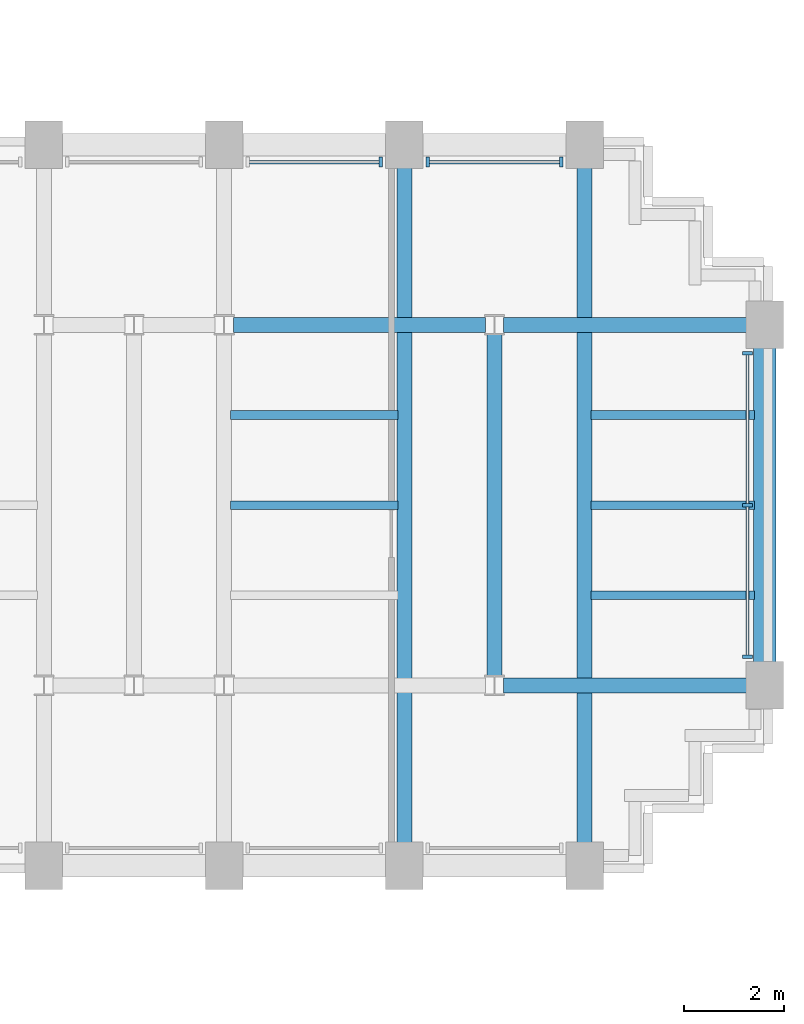
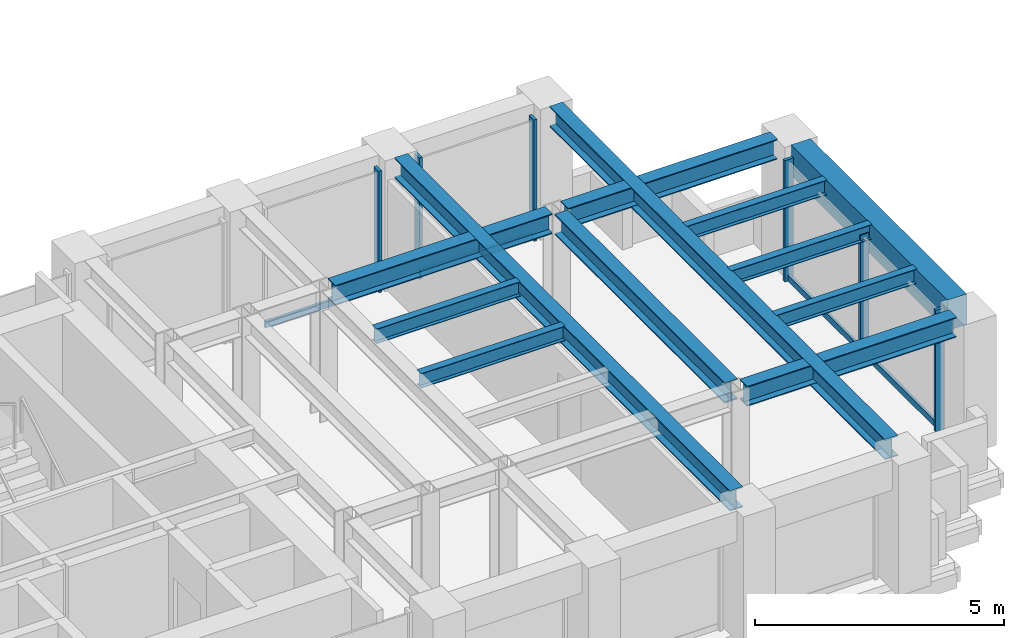
# One storey, part 6 of 16: 12 beams, 10 members, 3 elements without a shape of their own.
"""IFC4 building model written with IfcOpenShell, lengths in metres."""

from ifc_helpers import new_model, si_unit, direction, frame, origin, origin_2d, place, context, subcontext, project, spatial, rectangle, i_section, extrude, source, transform, mapped, material, material_profile, profile_set, type_object, element, aggregate, save


model = new_model("IFC4")

# Units and contexts
model_context = context("Model", 3, precision=1e-05, world=origin(), true_north=direction((0.0, 1.0)))
body_context = subcontext(model_context, "Body", "Model", "MODEL_VIEW")
ifc_project = project(units=[si_unit("LENGTHUNIT", "METRE"), si_unit("AREAUNIT", "SQUARE_METRE"), si_unit("VOLUMEUNIT", "CUBIC_METRE"), si_unit("PLANEANGLEUNIT", "RADIAN"), si_unit("MASSUNIT", "GRAM", prefix="KILO")], contexts=[model_context])

# Site, building, storey
site_placement = place(None, origin())
site = spatial("IfcSite", under=ifc_project, at=site_placement, CompositionType="ELEMENT")
building_placement = place(site_placement, origin())
building = spatial("IfcBuilding", under=site, at=building_placement, Name="Keilestroom Media Tower", CompositionType="ELEMENT")
storey_placement = place(building_placement, frame((0.0, 0.0, 81.60009765625)))
storey = spatial("IfcBuildingStorey", under=building, at=storey_placement, Name="L21", CompositionType="ELEMENT", Elevation=81.60009765625)

# Beams
ifc_material_1 = material(Name="Precast concrete C40/50", Category="concrete")
ifc_material_profile_1 = material_profile(ifc_material_1, rectangle(XDim=0.449951171875, YDim=0.75, at=origin_2d()), Name="PC 450x750")
ifc_profile_set_1 = profile_set([ifc_material_profile_1], Name="Precast concrete C40/50")
beam_type_1 = type_object("IfcBeamType", Name="Perimeter-Spandrel-Beam-PC-450x750", PredefinedType="SPANDREL", material=ifc_profile_set_1)
shared_shape_1 = source(origin(), body_context, "Body", "SweptSolid", [
    extrude(rectangle(XDim=0.449951171875, YDim=0.75, at=origin_2d()), origin(), (0.0, 0.0, 1.0), 6.2900390625),
])
beam_1_placement = place(storey_placement, frame((28.800048828125, -3.14501953125, 2.824951171875), z_axis=(0.0, 1.0, 0.0), x_axis=(-1.0, 0.0, 0.0)))
element("IfcBeam", 1, at=beam_1_placement, inside=storey, type_object=beam_type_1, Name="L21 Beam SPB-1 BM-L21-NS-086", PredefinedType="SPANDREL", context=body_context, shape_type="MappedRepresentation", body=[
    mapped(shared_shape_1, transform((0.0, 0.0, 0.0), x_axis=(1.0, 0.0, 0.0), y_axis=(0.0, 1.0, 0.0), z_axis=(0.0, 0.0, 1.0), scale=1.0)),
])
ifc_material_2 = material(Name="Steel S355", Category="steel")
ifc_material_profile_2 = material_profile(ifc_material_2, i_section(OverallWidth=0.300048828125, OverallDepth=0.5, WebThickness=0.012451171875, FlangeThickness=0.028076171875, at=origin_2d()), Name="HEB 500")
ifc_profile_set_2 = profile_set([ifc_material_profile_2], Name="Steel S355")
beam_type_2 = type_object("IfcBeamType", Name="Primary-Structural-Girder-HEB-500", PredefinedType="BEAM", material=ifc_profile_set_2)
shared_shape_2 = source(origin(), body_context, "Body", "SweptSolid", [
    extrude(i_section(OverallWidth=0.300048828125, OverallDepth=0.5, WebThickness=0.012451171875, FlangeThickness=0.028076171875, at=origin_2d()), origin(), (0.0, 0.0, 1.0), 13.490234375),
])
for number, where, z_axis, x_axis, name in (
    (2, (21.60009765625, -6.7451171875, 2.949951171875), (0.0, 1.0, 0.0), (-1.0, 0.0, 0.0), "L21 Beam BG-6 BM-L21-NS-083"),
    (3, (25.199951171875, -6.7451171875, 2.949951171875), (0.0, 1.0, 0.0), (-1.0, 0.0, 0.0), "L21 Beam BG-6 BM-L21-NS-085"),
):
    element("IfcBeam", number, at=place(storey_placement, frame(where, z_axis=z_axis, x_axis=x_axis)), inside=storey, type_object=beam_type_2, Name=name, PredefinedType="BEAM", context=body_context, shape_type="MappedRepresentation", body=[
        mapped(shared_shape_2, transform((0.0, 0.0, 0.0), x_axis=(1.0, 0.0, 0.0), y_axis=(0.0, 1.0, 0.0), z_axis=(0.0, 0.0, 1.0), scale=1.0)),
    ])
shared_shape_3 = source(origin(), body_context, "Body", "SweptSolid", [
    extrude(i_section(OverallWidth=0.300048828125, OverallDepth=0.5, WebThickness=0.012451171875, FlangeThickness=0.028076171875, at=origin_2d()), origin(), (0.0, 0.0, 1.0), 6.8330078125),
])
beam_2_placement = place(storey_placement, frame((23.39990234375, -3.41650390625, 2.949951171875), z_axis=(0.0, 1.0, 0.0), x_axis=(-1.0, 0.0, 0.0)))
element("IfcBeam", 4, at=beam_2_placement, inside=storey, type_object=beam_type_2, Name="L21 Beam BG-6 BM-L21-NS-084", PredefinedType="BEAM", context=body_context, shape_type="MappedRepresentation", body=[
    mapped(shared_shape_3, transform((0.0, 0.0, 0.0), x_axis=(1.0, 0.0, 0.0), y_axis=(0.0, 1.0, 0.0), z_axis=(0.0, 0.0, 1.0), scale=1.0)),
])
ifc_material_profile_3 = material_profile(ifc_material_2, i_section(OverallWidth=0.300048828125, OverallDepth=0.489990234375, WebThickness=0.011962890625, FlangeThickness=0.02294921875, at=origin_2d()), Name="HEA 500")
ifc_profile_set_3 = profile_set([ifc_material_profile_3], Name="Steel S355")
beam_type_3 = type_object("IfcBeamType", Name="Primary-Structural-Girder-HEA-500", PredefinedType="BEAM", material=ifc_profile_set_3)
shared_shape_4 = source(origin(), body_context, "Body", "SweptSolid", [
    extrude(i_section(OverallWidth=0.300048828125, OverallDepth=0.489990234375, WebThickness=0.011962890625, FlangeThickness=0.02294921875, at=origin_2d()), origin(), (0.0, 0.0, 1.0), 4.863037109375),
])
for number, where, z_axis, x_axis, name in (
    (5, (23.58203125, -3.60009765625, 2.954833984375), (1.0, 0.0, 0.0), (0.0, 1.0, 0.0), "L21 Beam BG-10 BM-L21-EW-025"),
    (6, (23.58203125, 3.60009765625, 2.954833984375), (1.0, 0.0, 0.0), (0.0, 1.0, 0.0), "L21 Beam BG-10 BM-L21-EW-033"),
):
    element("IfcBeam", number, at=place(storey_placement, frame(where, z_axis=z_axis, x_axis=x_axis)), inside=storey, type_object=beam_type_3, Name=name, PredefinedType="BEAM", context=body_context, shape_type="MappedRepresentation", body=[
        mapped(shared_shape_4, transform((0.0, 0.0, 0.0), x_axis=(1.0, 0.0, 0.0), y_axis=(0.0, 1.0, 0.0), z_axis=(0.0, 0.0, 1.0), scale=1.0)),
    ])
shared_shape_5 = source(origin(), body_context, "Body", "SweptSolid", [
    extrude(i_section(OverallWidth=0.300048828125, OverallDepth=0.489990234375, WebThickness=0.011962890625, FlangeThickness=0.02294921875, at=origin_2d()), origin(), (0.0, 0.0, 1.0), 5.0361328125),
])
beam_3_placement = place(storey_placement, frame((18.181884765625, 3.60009765625, 2.954833984375), z_axis=(1.0, 0.0, 0.0), x_axis=(0.0, 1.0, 0.0)))
element("IfcBeam", 7, at=beam_3_placement, inside=storey, type_object=beam_type_3, Name="L21 Beam BG-10 BM-L21-EW-032", PredefinedType="BEAM", context=body_context, shape_type="MappedRepresentation", body=[
    mapped(shared_shape_5, transform((0.0, 0.0, 0.0), x_axis=(1.0, 0.0, 0.0), y_axis=(0.0, 1.0, 0.0), z_axis=(0.0, 0.0, 1.0), scale=1.0)),
])
ifc_material_profile_4 = material_profile(ifc_material_2, i_section(OverallWidth=0.169921875, OverallDepth=0.360107421875, WebThickness=0.008056640625, FlangeThickness=0.0126953125, at=origin_2d()), Name="IPE 360")
ifc_profile_set_4 = profile_set([ifc_material_profile_4], Name="Steel S355")
beam_type_4 = type_object("IfcBeamType", Name="Secondary-Floor-Joist-IPE-360", PredefinedType="JOIST", material=ifc_profile_set_4)
shared_shape_6 = source(origin(), body_context, "Body", "SweptSolid", [
    extrude(i_section(OverallWidth=0.169921875, OverallDepth=0.360107421875, WebThickness=0.008056640625, FlangeThickness=0.0126953125, at=origin_2d()), origin(), (0.0, 0.0, 1.0), 3.264892578125),
])
for number, where, z_axis, x_axis, name in (
    (8, (25.330078125, -1.800048828125, 3.02001953125), (1.0, 0.0, 0.0), (0.0, 1.0, 0.0), "L21 Beam BJ-5 JST-L21-095"),
    (9, (25.330078125, 0.0, 3.02001953125), (1.0, 0.0, 0.0), (0.0, 1.0, 0.0), "L21 Beam BJ-5 JST-L21-102"),
    (10, (25.330078125, 1.800048828125, 3.02001953125), (1.0, 0.0, 0.0), (0.0, 1.0, 0.0), "L21 Beam BJ-5 JST-L21-109"),
):
    element("IfcBeam", number, at=place(storey_placement, frame(where, z_axis=z_axis, x_axis=x_axis)), inside=storey, type_object=beam_type_4, Name=name, PredefinedType="JOIST", context=body_context, shape_type="MappedRepresentation", body=[
        mapped(shared_shape_6, transform((0.0, 0.0, 0.0), x_axis=(1.0, 0.0, 0.0), y_axis=(0.0, 1.0, 0.0), z_axis=(0.0, 0.0, 1.0), scale=1.0)),
    ])
shared_shape_7 = source(origin(), body_context, "Body", "SweptSolid", [
    extrude(i_section(OverallWidth=0.169921875, OverallDepth=0.360107421875, WebThickness=0.008056640625, FlangeThickness=0.0126953125, at=origin_2d()), origin(), (0.0, 0.0, 1.0), 3.340087890625),
])
for number, where, z_axis, x_axis, name in (
    (11, (18.1298828125, 0.0, 3.02001953125), (1.0, 0.0, 0.0), (0.0, 1.0, 0.0), "L21 Beam BJ-5 JST-L21-101"),
    (12, (18.1298828125, 1.800048828125, 3.02001953125), (1.0, 0.0, 0.0), (0.0, 1.0, 0.0), "L21 Beam BJ-5 JST-L21-108"),
):
    element("IfcBeam", number, at=place(storey_placement, frame(where, z_axis=z_axis, x_axis=x_axis)), inside=storey, type_object=beam_type_4, Name=name, PredefinedType="JOIST", context=body_context, shape_type="MappedRepresentation", body=[
        mapped(shared_shape_7, transform((0.0, 0.0, 0.0), x_axis=(1.0, 0.0, 0.0), y_axis=(0.0, 1.0, 0.0), z_axis=(0.0, 0.0, 1.0), scale=1.0)),
    ])

# Curtain wall, members
ifc_material_3 = material(Name="Anodised Aluminium Alloy", Category="aluminium")
curtain_wall_type = type_object("IfcCurtainWallType", Name="Unitised-Curtain-Wall-CW-1", PredefinedType="NOTDEFINED", material=ifc_material_3)
curtain_wall_1_placement = place(storey_placement, origin())
curtain_wall_1 = element("IfcCurtainWall", 13, at=curtain_wall_1_placement, inside=storey, type_object=curtain_wall_type, Name="L21 Curtain Wall CW-1 CW-L21-E-1", PredefinedType="NOTDEFINED")
ifc_material_profile_5 = material_profile(ifc_material_3, rectangle(XDim=0.070068359375, YDim=0.199951171875, at=origin_2d()), Name="ALU MULLION 70x200")
ifc_profile_set_5 = profile_set([ifc_material_profile_5], Name="Anodised Aluminium Alloy")
member_type_1 = type_object("IfcMemberType", Name="Curtain-Wall-Mullion-CW-1", PredefinedType="MULLION", material=ifc_profile_set_5)
shared_shape_8 = source(origin(), body_context, "Body", "SweptSolid", [
    extrude(rectangle(XDim=0.070068359375, YDim=0.199951171875, at=origin_2d()), origin(), (0.0, 0.0, 1.0), 2.97998046875),
])
member_1_placement = place(storey_placement, frame((28.449951171875, -3.030029296875, 0.0), z_axis=(0.0, 0.0, 1.0), x_axis=(0.0, 1.0, 0.0)))
member_1 = element("IfcMember", 14, at=member_1_placement, type_object=member_type_1, Name="CW-1 Mullion 00", PredefinedType="MULLION", context=body_context, shape_type="MappedRepresentation", body=[
    mapped(shared_shape_8, transform((0.0, 0.0, 0.0), x_axis=(1.0, 0.0, 0.0), y_axis=(0.0, 1.0, 0.0), z_axis=(0.0, 0.0, 1.0), scale=1.0)),
])
member_2_placement = place(storey_placement, frame((28.449951171875, 0.0, 0.0), z_axis=(0.0, 0.0, 1.0), x_axis=(0.0, 1.0, 0.0)))
member_2 = element("IfcMember", 15, at=member_2_placement, type_object=member_type_1, Name="CW-1 Mullion 01", PredefinedType="MULLION", context=body_context, shape_type="MappedRepresentation", body=[
    mapped(shared_shape_8, transform((0.0, 0.0, 0.0), x_axis=(1.0, 0.0, 0.0), y_axis=(0.0, 1.0, 0.0), z_axis=(0.0, 0.0, 1.0), scale=1.0)),
])
member_3_placement = place(storey_placement, frame((28.449951171875, 3.030029296875, 0.0), z_axis=(0.0, 0.0, 1.0), x_axis=(0.0, 1.0, 0.0)))
member_3 = element("IfcMember", 16, at=member_3_placement, type_object=member_type_1, Name="CW-1 Mullion 02", PredefinedType="MULLION", context=body_context, shape_type="MappedRepresentation", body=[
    mapped(shared_shape_8, transform((0.0, 0.0, 0.0), x_axis=(1.0, 0.0, 0.0), y_axis=(0.0, 1.0, 0.0), z_axis=(0.0, 0.0, 1.0), scale=1.0)),
])

# Curtain wall, member
curtain_wall_2_placement = place(storey_placement, origin())
curtain_wall_2 = element("IfcCurtainWall", 17, at=curtain_wall_2_placement, inside=storey, type_object=curtain_wall_type, Name="L21 Curtain Wall CW-1 CW-L21-NE-3", PredefinedType="NOTDEFINED")
member_4_placement = place(storey_placement, frame((21.1298828125, 6.85009765625, 0.0), z_axis=(0.0, 0.0, 1.0), x_axis=(1.0, 0.0, 0.0)))
member_4 = element("IfcMember", 18, at=member_4_placement, type_object=member_type_1, Name="CW-1 Mullion 01", PredefinedType="MULLION", context=body_context, shape_type="MappedRepresentation", body=[
    mapped(shared_shape_8, transform((0.0, 0.0, 0.0), x_axis=(1.0, 0.0, 0.0), y_axis=(0.0, 1.0, 0.0), z_axis=(0.0, 0.0, 1.0), scale=1.0)),
])

# Curtain wall, members
curtain_wall_3_placement = place(storey_placement, origin())
curtain_wall_3 = element("IfcCurtainWall", 19, at=curtain_wall_3_placement, inside=storey, type_object=curtain_wall_type, Name="L21 Curtain Wall CW-1 CW-L21-NE-4", PredefinedType="NOTDEFINED")
member_5_placement = place(storey_placement, frame((22.070068359375, 6.85009765625, 0.0), z_axis=(0.0, 0.0, 1.0), x_axis=(1.0, 0.0, 0.0)))
member_5 = element("IfcMember", 20, at=member_5_placement, type_object=member_type_1, Name="CW-1 Mullion 00", PredefinedType="MULLION", context=body_context, shape_type="MappedRepresentation", body=[
    mapped(shared_shape_8, transform((0.0, 0.0, 0.0), x_axis=(1.0, 0.0, 0.0), y_axis=(0.0, 1.0, 0.0), z_axis=(0.0, 0.0, 1.0), scale=1.0)),
])
member_6_placement = place(storey_placement, frame((24.72998046875, 6.85009765625, 0.0), z_axis=(0.0, 0.0, 1.0), x_axis=(1.0, 0.0, 0.0)))
member_6 = element("IfcMember", 21, at=member_6_placement, type_object=member_type_1, Name="CW-1 Mullion 01", PredefinedType="MULLION", context=body_context, shape_type="MappedRepresentation", body=[
    mapped(shared_shape_8, transform((0.0, 0.0, 0.0), x_axis=(1.0, 0.0, 0.0), y_axis=(0.0, 1.0, 0.0), z_axis=(0.0, 0.0, 1.0), scale=1.0)),
])

# Member
ifc_material_profile_6 = material_profile(ifc_material_3, rectangle(XDim=0.06494140625, YDim=0.14990234375, at=origin_2d()), Name="ALU TRANSOM 65x150")
ifc_profile_set_6 = profile_set([ifc_material_profile_6], Name="Anodised Aluminium Alloy")
member_type_2 = type_object("IfcMemberType", Name="Curtain-Wall-Transom-CW-1", PredefinedType="USERDEFINED", material=ifc_profile_set_6)
shared_shape_9 = source(origin(), body_context, "Body", "SweptSolid", [
    extrude(rectangle(XDim=0.06494140625, YDim=0.14990234375, at=origin_2d()), origin(), (0.0, 0.0, 1.0), 2.964111328125),
])
member_7_placement = place(storey_placement, frame((28.449951171875, -2.9970703125, 0.074951171875), z_axis=(0.0, 1.0, 0.0), x_axis=(-1.0, 0.0, 0.0)))
member_7 = element("IfcMember", 22, at=member_7_placement, type_object=member_type_2, Name="CW-1 Transom 00.1", ObjectType="TRANSOM", PredefinedType="USERDEFINED", context=body_context, shape_type="MappedRepresentation", body=[
    mapped(shared_shape_9, transform((0.0, 0.0, 0.0), x_axis=(1.0, 0.0, 0.0), y_axis=(0.0, 1.0, 0.0), z_axis=(0.0, 0.0, 1.0), scale=1.0)),
])

member_8_placement = place(storey_placement, frame((28.449951171875, 0.032958984375, 0.074951171875), z_axis=(0.0, 1.0, 0.0), x_axis=(-1.0, 0.0, 0.0)))
member_8 = element("IfcMember", 23, at=member_8_placement, type_object=member_type_2, Name="CW-1 Transom 01.1", ObjectType="TRANSOM", PredefinedType="USERDEFINED", context=body_context, shape_type="MappedRepresentation", body=[
    mapped(shared_shape_9, transform((0.0, 0.0, 0.0), x_axis=(1.0, 0.0, 0.0), y_axis=(0.0, 1.0, 0.0), z_axis=(0.0, 0.0, 1.0), scale=1.0)),
])

aggregate(curtain_wall_1, [member_1, member_2, member_3, member_7, member_8])

shared_shape_10 = source(origin(), body_context, "Body", "SweptSolid", [
    extrude(rectangle(XDim=0.06494140625, YDim=0.14990234375, at=origin_2d()), origin(), (0.0, 0.0, 1.0), 2.593994140625),
])
member_9_placement = place(storey_placement, frame((18.5029296875, 6.85009765625, 0.074951171875), z_axis=(1.0, 0.0, 0.0), x_axis=(0.0, 1.0, 0.0)))
member_9 = element("IfcMember", 24, at=member_9_placement, type_object=member_type_2, Name="CW-1 Transom 00.1", ObjectType="TRANSOM", PredefinedType="USERDEFINED", context=body_context, shape_type="MappedRepresentation", body=[
    mapped(shared_shape_10, transform((0.0, 0.0, 0.0), x_axis=(1.0, 0.0, 0.0), y_axis=(0.0, 1.0, 0.0), z_axis=(0.0, 0.0, 1.0), scale=1.0)),
])

aggregate(curtain_wall_2, [member_4, member_9])

member_10_placement = place(storey_placement, frame((22.10302734375, 6.85009765625, 0.074951171875), z_axis=(1.0, 0.0, 0.0), x_axis=(0.0, 1.0, 0.0)))
member_10 = element("IfcMember", 25, at=member_10_placement, type_object=member_type_2, Name="CW-1 Transom 00.1", ObjectType="TRANSOM", PredefinedType="USERDEFINED", context=body_context, shape_type="MappedRepresentation", body=[
    mapped(shared_shape_10, transform((0.0, 0.0, 0.0), x_axis=(1.0, 0.0, 0.0), y_axis=(0.0, 1.0, 0.0), z_axis=(0.0, 0.0, 1.0), scale=1.0)),
])

aggregate(curtain_wall_3, [member_5, member_6, member_10])

save(model, "model.ifc")
